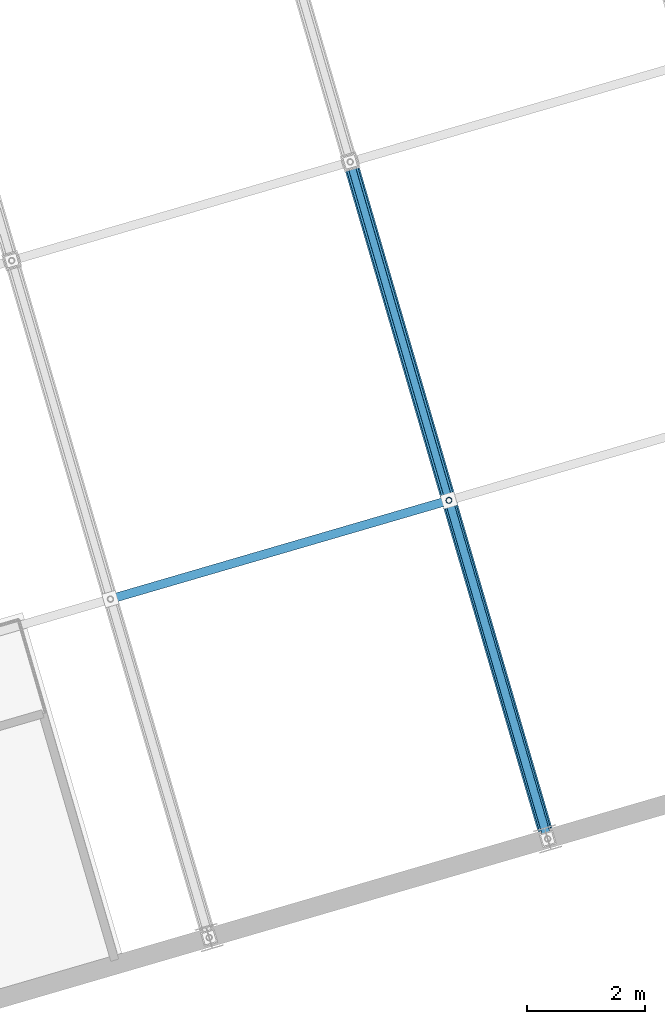
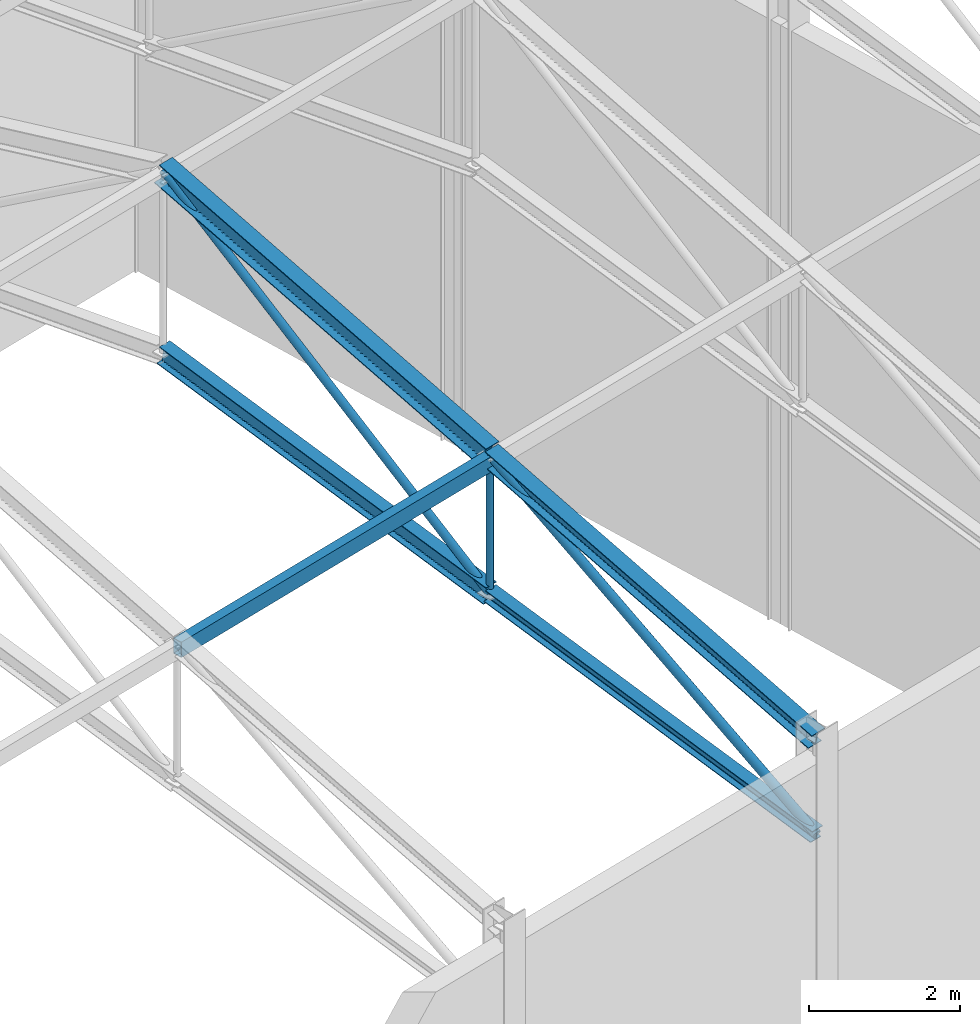
# One storey, part 165 of 248: 8 members.
"""IFC4 building model written with IfcOpenShell, lengths in metres."""

from ifc_helpers import new_model, si_unit, direction, frame, origin, origin_2d, place, context, subcontext, project, spatial, hollow_rectangle, hollow_circle, i_section, extrude, material, material_profile, profile_set, type_object, element, save


model = new_model("IFC4")

# Units and contexts
model_context = context("Model", 3, precision=1e-05, world=origin(), true_north=direction((0.0, 1.0)))
body_context = subcontext(model_context, "Body", "Model", "MODEL_VIEW")
ifc_project = project(units=[si_unit("LENGTHUNIT", "METRE"), si_unit("AREAUNIT", "SQUARE_METRE"), si_unit("VOLUMEUNIT", "CUBIC_METRE"), si_unit("PLANEANGLEUNIT", "RADIAN"), si_unit("MASSUNIT", "GRAM", prefix="KILO")], contexts=[model_context])

# Site, building, storey
site_placement = place(None, origin())
site = spatial("IfcSite", under=ifc_project, at=site_placement, CompositionType="ELEMENT")
building_placement = place(site_placement, origin())
building = spatial("IfcBuilding", under=site, at=building_placement, Name="Canggui Botanical Conservatory", CompositionType="ELEMENT")
storey_placement = place(building_placement, frame((0.0, 0.0, 5.39990234375)))
storey = spatial("IfcBuildingStorey", under=building, at=storey_placement, Name="L02", CompositionType="ELEMENT", Elevation=5.39990234375)

# Members
ifc_material = material(Name="Steel Q355B", Category="steel")
ifc_material_profile_1 = material_profile(ifc_material, hollow_rectangle(XDim=0.14990234375, YDim=0.25, WallThickness=0.008056640625, at=origin_2d()), Name="RHS 150x250x8")
ifc_profile_set_1 = profile_set([ifc_material_profile_1], Name="Steel Q355B")
member_type_1 = type_object("IfcMemberType", Name="MEM-PUR01", PredefinedType="PURLIN", material=ifc_profile_set_1)
member_1_placement = place(storey_placement, frame((81.60009765625, 100.800048828125, 11.550048828125), z_axis=(0.960003190047, 0.279989062464, 0.0), x_axis=(-0.279989062464, 0.960003190047, 0.0)))
element("IfcMember", 1, at=member_1_placement, inside=storey, type_object=member_type_1, Name="Auditorium Roof Purlin 4-1", PredefinedType="PURLIN", context=body_context, shape_type="SweptSolid", body=[
    extrude(hollow_rectangle(XDim=0.14990234375, YDim=0.25, WallThickness=0.008056640625, at=origin_2d()), origin(), (0.0, 0.0, 1.0), 6.0),
])
ifc_material_profile_2 = material_profile(ifc_material, i_section(OverallWidth=0.25, OverallDepth=0.25, WebThickness=0.009033203125, FlangeThickness=0.013916015625, FilletRadius=0.01611328125, at=origin_2d()), Name="HW 250x250x9x14")
ifc_profile_set_2 = profile_set([ifc_material_profile_2], Name="Steel Q355B")
member_type_2 = type_object("IfcMemberType", Name="MEM-TC01", PredefinedType="CHORD", material=ifc_profile_set_2)
member_2_placement = place(storey_placement, frame((89.0400390625, 96.719970703125, 9.9501953125), z_axis=(-0.269385502469, 0.923646586216, 0.272595735168), x_axis=(-0.960003190047, -0.279989062464, 0.0)))
element("IfcMember", 2, at=member_2_placement, inside=storey, type_object=member_type_2, Name="Auditorium Truss AT-05 Top Chord 1", PredefinedType="CHORD", context=body_context, shape_type="SweptSolid", body=[
    extrude(i_section(OverallWidth=0.25, OverallDepth=0.25, WebThickness=0.009033203125, FlangeThickness=0.013916015625, FilletRadius=0.01611328125, at=origin_2d()), origin(), (0.0, 0.0, 1.0), 6.236083984375),
])
ifc_material_profile_3 = material_profile(ifc_material, i_section(OverallWidth=0.199951171875, OverallDepth=0.199951171875, WebThickness=0.008056640625, FlangeThickness=0.011962890625, FilletRadius=0.012939453125, at=origin_2d()), Name="HW 200x200x8x12")
ifc_profile_set_3 = profile_set([ifc_material_profile_3], Name="Steel Q355B")
member_type_3 = type_object("IfcMemberType", Name="MEM-TC02", PredefinedType="CHORD", material=ifc_profile_set_3)
member_3_placement = place(storey_placement, frame((89.0400390625, 96.719970703125, 8.400146484375), z_axis=(-0.276179497805, 0.946941271868, 0.16439924764), x_axis=(-0.960003190047, -0.279989062464, 0.0)))
element("IfcMember", 3, at=member_3_placement, inside=storey, type_object=member_type_3, Name="Auditorium Truss AT-05 Bottom Chord 1", PredefinedType="CHORD", context=body_context, shape_type="SweptSolid", body=[
    extrude(i_section(OverallWidth=0.199951171875, OverallDepth=0.199951171875, WebThickness=0.008056640625, FlangeThickness=0.011962890625, FilletRadius=0.012939453125, at=origin_2d()), origin(), (0.0, 0.0, 1.0), 6.082763671875),
])
ifc_material_profile_4 = material_profile(ifc_material, i_section(OverallWidth=0.25, OverallDepth=0.35009765625, WebThickness=0.009033203125, FlangeThickness=0.013916015625, FilletRadius=0.02001953125, at=origin_2d()), Name="HM 350x250x9x14")
ifc_profile_set_4 = profile_set([ifc_material_profile_4], Name="Steel Q355B")
member_type_4 = type_object("IfcMemberType", Name="MEM-TC03", PredefinedType="CHORD", material=ifc_profile_set_4)
member_4_placement = place(storey_placement, frame((87.360107421875, 102.47998046875, 11.650146484375), z_axis=(-0.269421810075, 0.923636844681, 0.27259286015), x_axis=(-0.959992252312, -0.280026562133, 0.0)))
element("IfcMember", 4, at=member_4_placement, inside=storey, type_object=member_type_4, Name="Auditorium Truss AT-05 Top Chord 2", PredefinedType="CHORD", context=body_context, shape_type="SweptSolid", body=[
    extrude(i_section(OverallWidth=0.25, OverallDepth=0.35009765625, WebThickness=0.009033203125, FlangeThickness=0.013916015625, FilletRadius=0.02001953125, at=origin_2d()), origin(), (0.0, 0.0, 1.0), 6.236328125),
])
ifc_material_profile_5 = material_profile(ifc_material, i_section(OverallWidth=0.199951171875, OverallDepth=0.300048828125, WebThickness=0.008056640625, FlangeThickness=0.011962890625, FilletRadius=0.01806640625, at=origin_2d()), Name="HM 300x200x8x12")
ifc_profile_set_5 = profile_set([ifc_material_profile_5], Name="Steel Q355B")
member_type_5 = type_object("IfcMemberType", Name="MEM-TC04", PredefinedType="CHORD", material=ifc_profile_set_5)
member_5_placement = place(storey_placement, frame((87.360107421875, 102.47998046875, 9.400146484375), z_axis=(-0.276216572305, 0.946930774542, 0.164397425191), x_axis=(-0.959992252312, -0.280026562133, 0.0)))
element("IfcMember", 5, at=member_5_placement, inside=storey, type_object=member_type_5, Name="Auditorium Truss AT-05 Bottom Chord 2", PredefinedType="CHORD", context=body_context, shape_type="SweptSolid", body=[
    extrude(i_section(OverallWidth=0.199951171875, OverallDepth=0.300048828125, WebThickness=0.008056640625, FlangeThickness=0.011962890625, FilletRadius=0.01806640625, at=origin_2d()), origin(), (0.0, 0.0, 1.0), 6.082763671875),
])
ifc_material_profile_6 = material_profile(ifc_material, hollow_circle(Radius=0.070068359375, WallThickness=0.006103515625, at=origin_2d()), Name="CHS 140x6")
ifc_profile_set_6 = profile_set([ifc_material_profile_6], Name="Steel Q355B")
member_type_6 = type_object("IfcMemberType", Name="MEM-TW01", PredefinedType="BRACE", material=ifc_profile_set_6)
member_6_placement = place(storey_placement, frame((89.0400390625, 96.719970703125, 8.400146484375), z_axis=(-0.246192042448, 0.844122781207, 0.476283747867), x_axis=(-0.960003190047, -0.279989062464, 0.0)))
element("IfcMember", 6, at=member_6_placement, inside=storey, type_object=member_type_6, Name="Auditorium Truss AT-05 Web Diagonal 1", PredefinedType="BRACE", context=body_context, shape_type="SweptSolid", body=[
    extrude(hollow_circle(Radius=0.070068359375, WallThickness=0.006103515625, at=origin_2d()), origin(), (0.0, 0.0, 1.0), 6.82373046875),
])
ifc_material_profile_7 = material_profile(ifc_material, hollow_circle(Radius=0.0634765625, WallThickness=0.006103515625, at=origin_2d()), Name="CHS 127x6")
ifc_profile_set_7 = profile_set([ifc_material_profile_7], Name="Steel Q355B")
member_type_7 = type_object("IfcMemberType", Name="MEM-TW02", PredefinedType="BRACE", material=ifc_profile_set_7)
member_7_placement = place(storey_placement, frame((87.360107421875, 102.47998046875, 9.400146484375), z_axis=(-0.233893424927, 0.80183777598, 0.549863662), x_axis=(-0.959992252312, -0.280026562133, 0.0)))
element("IfcMember", 7, at=member_7_placement, inside=storey, type_object=member_type_7, Name="Auditorium Truss AT-05 Web Diagonal 2", PredefinedType="BRACE", context=body_context, shape_type="SweptSolid", body=[
    extrude(hollow_circle(Radius=0.0634765625, WallThickness=0.006103515625, at=origin_2d()), origin(), (0.0, 0.0, 1.0), 7.18359375),
])
ifc_material_profile_8 = material_profile(ifc_material, hollow_circle(Radius=0.051025390625, WallThickness=0.0048828125, at=origin_2d()), Name="CHS 102x5")
ifc_profile_set_8 = profile_set([ifc_material_profile_8], Name="Steel Q355B")
member_type_8 = type_object("IfcMemberType", Name="MEM-TW04", PredefinedType="BRACE", material=ifc_profile_set_8)
member_8_placement = place(storey_placement, frame((87.360107421875, 102.47998046875, 9.400146484375), z_axis=(0.0, 0.0, 1.0), x_axis=(1.0, 0.0, 0.0)))
element("IfcMember", 8, at=member_8_placement, inside=storey, type_object=member_type_8, Name="Auditorium Truss AT-05 Vertical Post 2", PredefinedType="BRACE", context=body_context, shape_type="SweptSolid", body=[
    extrude(hollow_circle(Radius=0.051025390625, WallThickness=0.0048828125, at=origin_2d()), origin(), (0.0, 0.0, 1.0), 2.25),
])

save(model, "model.ifc")
